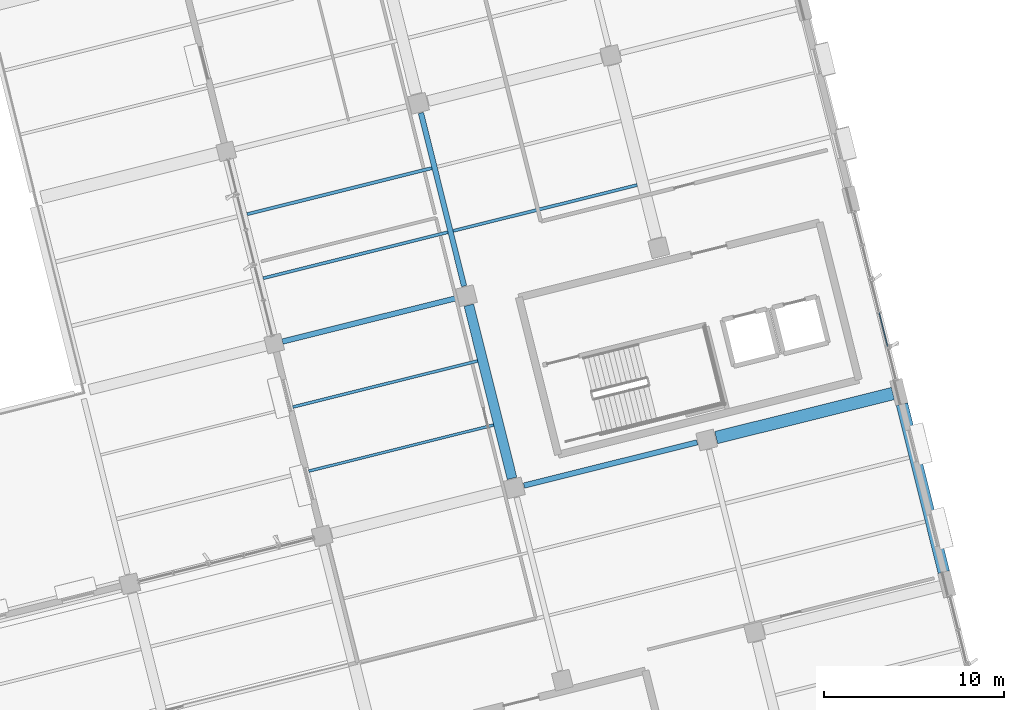
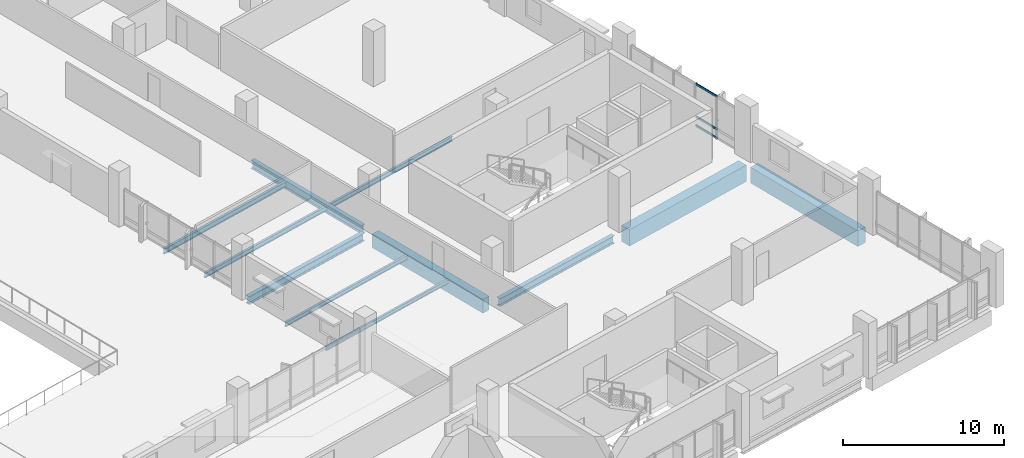
# One storey, part 37 of 75: 11 beams, 3 members, 1 element without a shape of its own.
"""IFC4 building model written with IfcOpenShell, lengths in metres."""

from ifc_helpers import new_model, si_unit, direction, frame, origin, origin_2d, place, context, subcontext, project, spatial, rectangle, hollow_rectangle, i_section, extrude, material, layer, layer_set, material_profile, profile_set, type_object, element, aggregate, save


model = new_model("IFC4")

# Units and contexts
model_context = context("Model", 3, precision=1e-05, world=origin(), true_north=direction((0.0, 1.0)))
body_context = subcontext(model_context, "Body", "Model", "MODEL_VIEW")
ifc_project = project(units=[si_unit("LENGTHUNIT", "METRE"), si_unit("AREAUNIT", "SQUARE_METRE"), si_unit("VOLUMEUNIT", "CUBIC_METRE"), si_unit("PLANEANGLEUNIT", "RADIAN"), si_unit("MASSUNIT", "GRAM", prefix="KILO")], contexts=[model_context])

# Site, building, storey
site_placement = place(None, origin())
site = spatial("IfcSite", under=ifc_project, at=site_placement, CompositionType="ELEMENT")
building_placement = place(site_placement, origin())
building = spatial("IfcBuilding", under=site, at=building_placement, Name="Khorjan Park Terminus", CompositionType="ELEMENT")
storey_placement = place(building_placement, frame((0.0, 0.0, 16.2)))
storey = spatial("IfcBuildingStorey", under=building, at=storey_placement, Name="L03", CompositionType="ELEMENT", Elevation=16.2)

# Beams
ifc_material_1 = material(Name="Steel S355", Category="steel")
ifc_material_profile_1 = material_profile(ifc_material_1, i_section(OverallWidth=0.3, OverallDepth=0.59, WebThickness=0.013, FlangeThickness=0.025, FilletRadius=0.027, at=origin_2d()), Name="HEA 600")
ifc_profile_set_1 = profile_set([ifc_material_profile_1], Name="Steel S355")
beam_type_1 = type_object("IfcBeamType", Name="BM-HEA600", PredefinedType="BEAM", material=ifc_profile_set_1)
beam_1_placement = place(storey_placement, frame((203.8995, 34.1229, -0.645), z_axis=(0.970294856426, 0.241925384349, 0.0), x_axis=(-0.241925384349, 0.970294856426, 0.0)))
element("IfcBeam", 1, at=beam_1_placement, inside=storey, type_object=beam_type_1, Name="Primary skew-grid floor girder SB-A60 (L03)", PredefinedType="BEAM", context=body_context, shape_type="SweptSolid", body=[
    extrude(i_section(OverallWidth=0.3, OverallDepth=0.59, WebThickness=0.013, FlangeThickness=0.025, FilletRadius=0.027, at=origin_2d()), origin(), (0.0, 0.0, 1.0), 9.9101),
])
ifc_material_profile_2 = material_profile(ifc_material_1, i_section(OverallWidth=0.3, OverallDepth=0.64, WebThickness=0.0135, FlangeThickness=0.026, FilletRadius=0.027, at=origin_2d()), Name="HEA 650")
ifc_profile_set_2 = profile_set([ifc_material_profile_2], Name="Steel S355")
beam_type_2 = type_object("IfcBeamType", Name="BM-HEA650", PredefinedType="BEAM", material=ifc_profile_set_2)
beam_2_placement = place(storey_placement, frame((200.5777, 45.1931, -0.67), z_axis=(-0.241915884168, 0.970297225074, 0.0), x_axis=(-0.970297225074, -0.241915884168, 0.0)))
element("IfcBeam", 2, at=beam_2_placement, inside=storey, type_object=beam_type_2, Name="Primary skew-grid floor girder SB-A65 (L03)", PredefinedType="BEAM", context=body_context, shape_type="SweptSolid", body=[
    extrude(i_section(OverallWidth=0.3, OverallDepth=0.64, WebThickness=0.0135, FlangeThickness=0.026, FilletRadius=0.027, at=origin_2d()), origin(), (0.0, 0.0, 1.0), 9.9101),
])
ifc_material_profile_3 = material_profile(ifc_material_1, i_section(OverallWidth=0.3, OverallDepth=0.6, WebThickness=0.0155, FlangeThickness=0.03, FilletRadius=0.027, at=origin_2d()), Name="HEB 600")
ifc_profile_set_3 = profile_set([ifc_material_profile_3], Name="Steel S355")
beam_type_3 = type_object("IfcBeamType", Name="BM-HEB600", PredefinedType="BEAM", material=ifc_profile_set_3)
beam_3_placement = place(storey_placement, frame((190.4924, 42.1169, -0.65), z_axis=(0.970295477616, 0.241922892916, 0.0), x_axis=(-0.241922892916, 0.970295477616, 0.0)))
element("IfcBeam", 3, at=beam_3_placement, inside=storey, type_object=beam_type_3, Name="Primary skew-grid floor girder SB-B60 (L03)", PredefinedType="BEAM", context=body_context, shape_type="SweptSolid", body=[
    extrude(i_section(OverallWidth=0.3, OverallDepth=0.6, WebThickness=0.0155, FlangeThickness=0.03, FilletRadius=0.027, at=origin_2d()), origin(), (0.0, 0.0, 1.0), 9.985),
])
ifc_material_2 = material(Name="Concrete C40/50", Category="concrete")
ifc_material_profile_4 = material_profile(ifc_material_2, rectangle(XDim=0.55, YDim=1.05, at=origin_2d()), Name="RC 550x1050")
ifc_profile_set_4 = profile_set([ifc_material_profile_4], Name="Concrete C40/50")
beam_type_4 = type_object("IfcBeamType", Name="BM-RC550x1050", PredefinedType="BEAM", material=ifc_profile_set_4)
beam_4_placement = place(storey_placement, frame((203.2389, 34.5199, -0.875), z_axis=(-0.24192775306, 0.970294265828, 0.0), x_axis=(-0.970294265828, -0.24192775306, 0.0)))
element("IfcBeam", 4, at=beam_4_placement, inside=storey, type_object=beam_type_4, Name="Primary skew-grid floor girder GB-105 (L03)", PredefinedType="BEAM", context=body_context, shape_type="SweptSolid", body=[
    extrude(rectangle(XDim=0.55, YDim=1.05, at=origin_2d()), origin(), (0.0, 0.0, 1.0), 9.91),
])
ifc_material_profile_5 = material_profile(ifc_material_2, rectangle(XDim=0.65, YDim=1.2, at=origin_2d()), Name="RC 650x1200")
ifc_profile_set_5 = profile_set([ifc_material_profile_5], Name="Concrete C40/50")
beam_type_5 = type_object("IfcBeamType", Name="BM-RC650x1200", PredefinedType="BEAM", material=ifc_profile_set_5)
beam_5_placement = place(storey_placement, frame((227.2102, 29.3145, -0.95), z_axis=(-0.241916119113, 0.970297166498, 0.0), x_axis=(-0.970297166498, -0.241916119113, 0.0)))
element("IfcBeam", 5, at=beam_5_placement, inside=storey, type_object=beam_type_5, Name="Primary skew-grid floor girder GB-12 (L03)", PredefinedType="BEAM", context=body_context, shape_type="SweptSolid", body=[
    extrude(rectangle(XDim=0.65, YDim=1.2, at=origin_2d()), origin(), (0.0, 0.0, 1.0), 9.6099),
])
ifc_material_profile_6 = material_profile(ifc_material_2, rectangle(XDim=0.7, YDim=1.25, at=origin_2d()), Name="RC 700x1250")
ifc_profile_set_6 = profile_set([ifc_material_profile_6], Name="Concrete C40/50")
beam_type_6 = type_object("IfcBeamType", Name="BM-RC700x1250", PredefinedType="BEAM", material=ifc_profile_set_6)
beam_6_placement = place(storey_placement, frame((214.5728, 36.7841, -0.975), z_axis=(0.970296490369, 0.241918830968, 0.0), x_axis=(-0.241918830968, 0.970296490369, 0.0)))
element("IfcBeam", 6, at=beam_6_placement, inside=storey, type_object=beam_type_6, Name="Primary skew-grid floor girder GB-125 (L03)", PredefinedType="BEAM", context=body_context, shape_type="SweptSolid", body=[
    extrude(rectangle(XDim=0.7, YDim=1.25, at=origin_2d()), origin(), (0.0, 0.0, 1.0), 10.11),
])
ifc_material_profile_7 = material_profile(ifc_material_1, i_section(OverallWidth=0.15, OverallDepth=0.3, WebThickness=0.0071, FlangeThickness=0.0107, FilletRadius=0.015, at=origin_2d()), Name="IPE 300")
ifc_profile_set_7 = profile_set([ifc_material_profile_7], Name="Steel S355")
beam_type_7 = type_object("IfcBeamType", Name="JS-IPE300", PredefinedType="JOIST", material=ifc_profile_set_7)
beam_7_placement = place(storey_placement, frame((191.956, 34.924, -0.5), z_axis=(0.970295832192, 0.241921470792, 0.0), x_axis=(-0.241921470792, 0.970295832192, 0.0)))
element("IfcBeam", 7, at=beam_7_placement, inside=storey, type_object=beam_type_7, Name="Secondary composite floor joist SJ-30 (L03)", PredefinedType="JOIST", context=body_context, shape_type="SweptSolid", body=[
    extrude(i_section(OverallWidth=0.15, OverallDepth=0.3, WebThickness=0.0071, FlangeThickness=0.0107, FilletRadius=0.015, at=origin_2d()), origin(), (0.0, 0.0, 1.0), 10.5749),
])
ifc_material_profile_8 = material_profile(ifc_material_1, i_section(OverallWidth=0.16, OverallDepth=0.33, WebThickness=0.0075, FlangeThickness=0.0115, FilletRadius=0.018, at=origin_2d()), Name="IPE 330")
ifc_profile_set_8 = profile_set([ifc_material_profile_8], Name="Steel S355")
beam_type_8 = type_object("IfcBeamType", Name="JS-IPE330", PredefinedType="JOIST", material=ifc_profile_set_8)
beam_8_placement = place(storey_placement, frame((191.0689, 38.4817, -0.515), z_axis=(0.970296385626, 0.241919251074, 0.0), x_axis=(-0.241919251074, 0.970296385626, 0.0)))
element("IfcBeam", 8, at=beam_8_placement, inside=storey, type_object=beam_type_8, Name="Secondary composite floor joist SJ-33 (L03)", PredefinedType="JOIST", context=body_context, shape_type="SweptSolid", body=[
    extrude(i_section(OverallWidth=0.16, OverallDepth=0.33, WebThickness=0.0075, FlangeThickness=0.0115, FilletRadius=0.018, at=origin_2d()), origin(), (0.0, 0.0, 1.0), 10.575),
])
ifc_material_profile_9 = material_profile(ifc_material_1, i_section(OverallWidth=0.17, OverallDepth=0.36, WebThickness=0.008, FlangeThickness=0.0127, FilletRadius=0.018, at=origin_2d()), Name="IPE 360")
ifc_profile_set_9 = profile_set([ifc_material_profile_9], Name="Steel S355")
beam_type_9 = type_object("IfcBeamType", Name="JS-IPE360", PredefinedType="JOIST", material=ifc_profile_set_9)
beam_9_placement = place(storey_placement, frame((189.4161, 45.6275, -0.53), z_axis=(0.970296385626, 0.241919251074, 0.0), x_axis=(-0.241919251074, 0.970296385626, 0.0)))
element("IfcBeam", 9, at=beam_9_placement, inside=storey, type_object=beam_type_9, Name="Secondary composite floor joist SJ-36 (L03)", PredefinedType="JOIST", context=body_context, shape_type="SweptSolid", body=[
    extrude(i_section(OverallWidth=0.17, OverallDepth=0.36, WebThickness=0.008, FlangeThickness=0.0127, FilletRadius=0.018, at=origin_2d()), origin(), (0.0, 0.0, 1.0), 10.575),
])
beam_10_placement = place(storey_placement, frame((199.9681, 48.2584, -0.53), z_axis=(0.970296002015, 0.241920789668, 0.0), x_axis=(-0.241920789668, 0.970296002015, 0.0)))
element("IfcBeam", 10, at=beam_10_placement, inside=storey, type_object=beam_type_9, Name="Secondary composite floor joist SJ-36 (L03)", PredefinedType="JOIST", context=body_context, shape_type="SweptSolid", body=[
    extrude(i_section(OverallWidth=0.17, OverallDepth=0.36, WebThickness=0.008, FlangeThickness=0.0127, FilletRadius=0.018, at=origin_2d()), origin(), (0.0, 0.0, 1.0), 10.5249),
])
ifc_material_profile_10 = material_profile(ifc_material_1, i_section(OverallWidth=0.18, OverallDepth=0.4, WebThickness=0.0086, FlangeThickness=0.0135, FilletRadius=0.021, at=origin_2d()), Name="IPE 400")
ifc_profile_set_10 = profile_set([ifc_material_profile_10], Name="Steel S355")
beam_type_10 = type_object("IfcBeamType", Name="JS-IPE400", PredefinedType="JOIST", material=ifc_profile_set_10)
beam_11_placement = place(storey_placement, frame((188.5291, 49.1852, -0.55), z_axis=(0.970296385626, 0.241919251074, 0.0), x_axis=(-0.241919251074, 0.970296385626, 0.0)))
element("IfcBeam", 11, at=beam_11_placement, inside=storey, type_object=beam_type_10, Name="Secondary composite floor joist SJ-40 (L03)", PredefinedType="JOIST", context=body_context, shape_type="SweptSolid", body=[
    extrude(i_section(OverallWidth=0.18, OverallDepth=0.4, WebThickness=0.0086, FlangeThickness=0.0135, FilletRadius=0.021, at=origin_2d()), origin(), (0.0, 0.0, 1.0), 10.575),
])

# Curtain wall, members
ifc_material_3 = material(Name="Anodized Bronze Aluminium", Category="aluminium")
ifc_layer = layer(ifc_material_3, 0.22)
ifc_layer_set = layer_set([ifc_layer], Name="Anodized Bronze Aluminium")
curtain_wall_type = type_object("IfcCurtainWallType", Name="CW-OPS-B", PredefinedType="NOTDEFINED", material=ifc_layer_set)
curtain_wall_placement = place(storey_placement, origin())
curtain_wall = element("IfcCurtainWall", 12, at=curtain_wall_placement, inside=storey, type_object=curtain_wall_type, Name="Unitized curtain wall CW-B (CW-V5-E-L03-B03)", PredefinedType="NOTDEFINED")
ifc_material_profile_11 = material_profile(ifc_material_3, hollow_rectangle(XDim=0.07, YDim=0.16, WallThickness=0.004, InnerFilletRadius=0.004, OuterFilletRadius=0.008, at=origin_2d()), Name="ALT 70x160x4")
ifc_profile_set_11 = profile_set([ifc_material_profile_11], Name="Anodized Bronze Aluminium")
member_type = type_object("IfcMemberType", Name="TR-ALT-160", PredefinedType="USERDEFINED", material=ifc_profile_set_11)
member_1_placement = place(storey_placement, frame((224.0863, 41.8438, 0.04), z_axis=(-0.241900982739, 0.970300940198, 0.0), x_axis=(-0.970300940198, -0.241900982739, 0.0)))
member_1 = element("IfcMember", 13, at=member_1_placement, type_object=member_type, Name="Curtain-wall transom TR-16 (CW-V5-E-L03-B03-1-1)", ObjectType="TRANSOM", PredefinedType="USERDEFINED", context=body_context, shape_type="SweptSolid", body=[
    extrude(hollow_rectangle(XDim=0.07, YDim=0.16, WallThickness=0.004, InnerFilletRadius=0.004, OuterFilletRadius=0.008, at=origin_2d()), origin(), (0.0, 0.0, 1.0), 1.9281),
])
member_2_placement = place(storey_placement, frame((224.0863, 41.8438, 0.712), z_axis=(-0.241900982739, 0.970300940198, 0.0), x_axis=(-0.970300940198, -0.241900982739, 0.0)))
member_2 = element("IfcMember", 14, at=member_2_placement, type_object=member_type, Name="Curtain-wall transom TR-16 (CW-V5-E-L03-B03-1-2)", ObjectType="TRANSOM", PredefinedType="USERDEFINED", context=body_context, shape_type="SweptSolid", body=[
    extrude(hollow_rectangle(XDim=0.07, YDim=0.16, WallThickness=0.004, InnerFilletRadius=0.004, OuterFilletRadius=0.008, at=origin_2d()), origin(), (0.0, 0.0, 1.0), 1.9281),
])
member_3_placement = place(storey_placement, frame((224.0863, 41.8438, 3.195), z_axis=(-0.241900982739, 0.970300940198, 0.0), x_axis=(-0.970300940198, -0.241900982739, 0.0)))
member_3 = element("IfcMember", 15, at=member_3_placement, type_object=member_type, Name="Curtain-wall transom TR-16 (CW-V5-E-L03-B03-1-3)", ObjectType="TRANSOM", PredefinedType="USERDEFINED", context=body_context, shape_type="SweptSolid", body=[
    extrude(hollow_rectangle(XDim=0.07, YDim=0.16, WallThickness=0.004, InnerFilletRadius=0.004, OuterFilletRadius=0.008, at=origin_2d()), origin(), (0.0, 0.0, 1.0), 1.9281),
])
aggregate(curtain_wall, [member_1, member_2, member_3])

save(model, "model.ifc")
